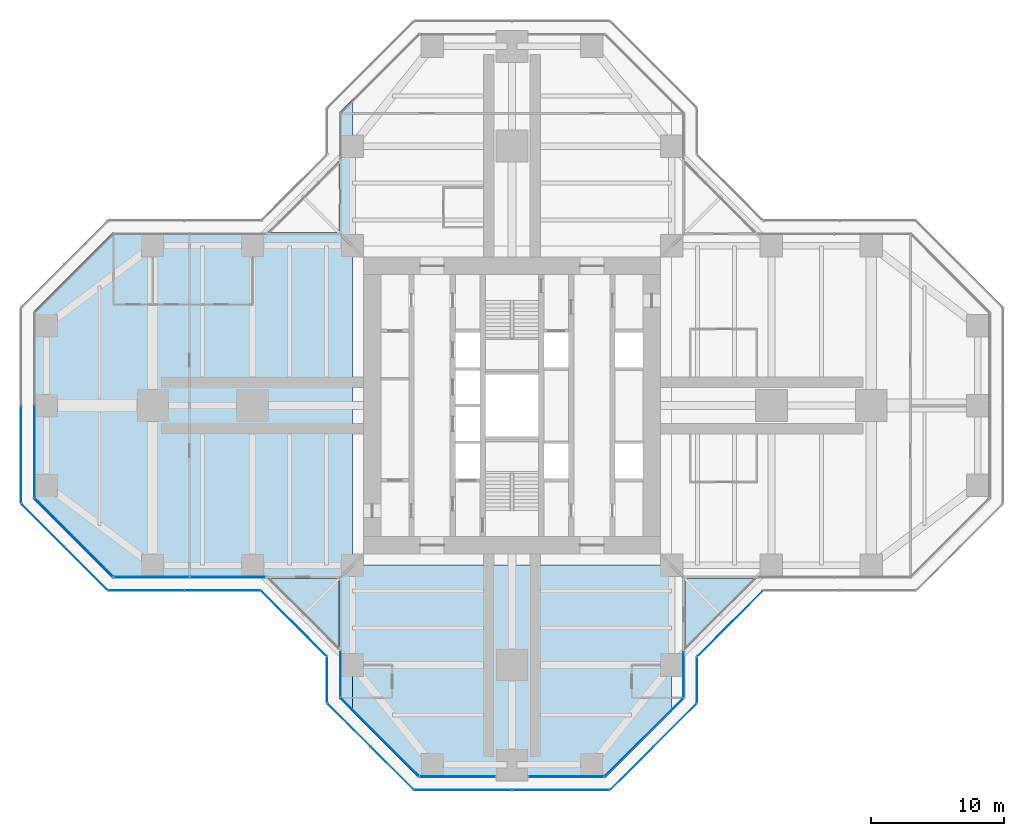
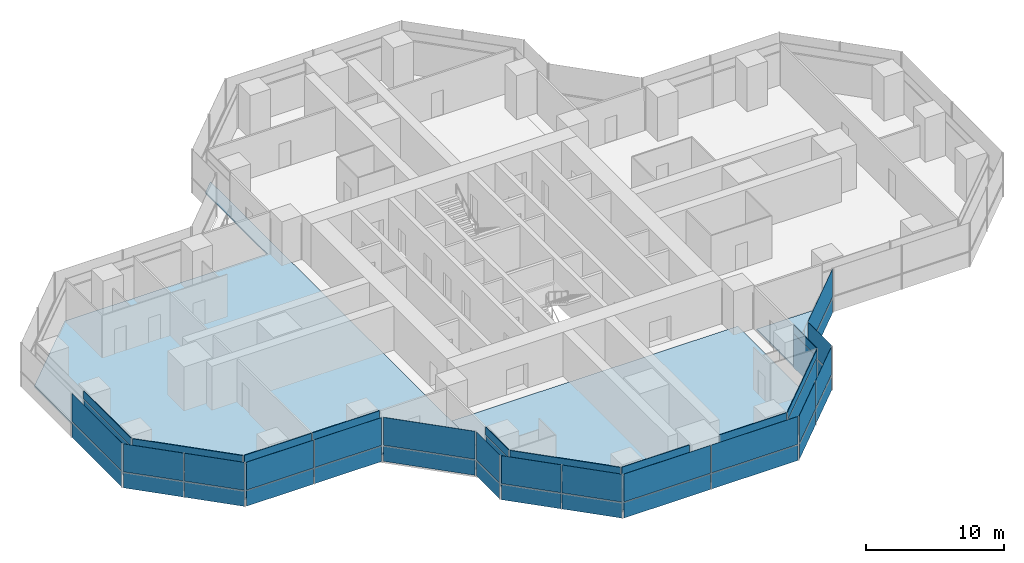
# One storey, part 12 of 19: 50 plates, 4 slabs, 19 elements without a shape of their own.
"""IFC4 building model written with IfcOpenShell, lengths in metres."""

import ifcopenshell
import ifcopenshell.guid

model = None  # the IFC model being written
_history = None  # IfcOwnerHistory: only IFC2X3 demands one
_inside = {}  # id of a spatial element -> (the spatial element, [elements in it])
_under = {}  # id of a project, library or spatial element -> (it, [spatial elements below it])
_declared = {}  # id of a project -> (the project, [libraries it declares])
_typed = {}  # id of a type object -> (the type object, [elements of that type])
_made_of = {}  # id of a material, layer set ... -> (it, [elements and type objects made of it])


def new_model(schema):
    """Start an empty IFC model of exactly this schema.

    Asked for "IFC4X3", IfcOpenShell would pick the latest addendum, in which some entities
    have other attributes; the version numbers below select the first issue.
    IFC2X3 requires an IfcOwnerHistory on every rooted entity: one is made here for all.
    """
    global model, _history
    if schema == "IFC4X3":
        model = ifcopenshell.file(schema_version=(4, 3, 0, 0))
    else:
        model = ifcopenshell.file(schema=schema)
    _inside.clear()
    _under.clear()
    _declared.clear()
    _typed.clear()
    _made_of.clear()
    _history = None
    if model.schema == "IFC2X3":
        org = make("IfcOrganization", Name="unknown")
        user = make(
            "IfcPersonAndOrganization",
            ThePerson=make("IfcPerson", FamilyName="unknown"),
            TheOrganization=org,
        )
        app = make(
            "IfcApplication",
            ApplicationDeveloper=org,
            Version="unknown",
            ApplicationFullName="unknown",
            ApplicationIdentifier="unknown",
        )
        _history = make(
            "IfcOwnerHistory",
            OwningUser=user,
            OwningApplication=app,
            ChangeAction="ADDED",
            CreationDate=0,
        )
    return model


def make(cls, **values):
    """One entity of the class cls with the attributes given. An attribute that is None is left unset."""
    return model.create_entity(
        cls, **{name: value for name, value in values.items() if value is not None}
    )


def rooted(cls, **values):
    """An entity with a GlobalId (a new one), such as an element, a storey or a relation."""
    return make(cls, GlobalId=ifcopenshell.guid.new(), OwnerHistory=_history, **values)


def si_unit(unit_type, name, prefix=None):
    """IfcSIUnit, for example si_unit("LENGTHUNIT", "METRE", prefix="MILLI")."""
    return make("IfcSIUnit", UnitType=unit_type, Prefix=prefix, Name=name)


def assignment(units):
    """IfcUnitAssignment: the units of a project."""
    return None if units is None else make("IfcUnitAssignment", Units=units)


def point(xyz):
    """IfcCartesianPoint."""
    return None if xyz is None else make("IfcCartesianPoint", Coordinates=xyz)


def direction(xyz):
    """IfcDirection."""
    return None if xyz is None else make("IfcDirection", DirectionRatios=xyz)


def frame(location, z_axis=None, x_axis=None):
    """IfcAxis2Placement3D, a coordinate frame: its origin and axes. An axis left out is left unset."""
    return make(
        "IfcAxis2Placement3D",
        Location=point(location),
        Axis=direction(z_axis),
        RefDirection=direction(x_axis),
    )


def frame_2d(location, x_axis=None):
    """IfcAxis2Placement2D, a coordinate frame in the plane: its origin and x axis."""
    return make(
        "IfcAxis2Placement2D", Location=point(location), RefDirection=direction(x_axis)
    )


def origin():
    """The frame at (0, 0, 0) with its axes left unset."""
    return frame((0.0, 0.0, 0.0))


def origin_2d():
    """The frame at (0, 0) in the plane with its x axis left unset."""
    return frame_2d((0.0, 0.0))


def place(relative_to, where):
    """IfcLocalPlacement: puts the frame where relative to a parent placement (None: the world)."""
    return make(
        "IfcLocalPlacement", PlacementRelTo=relative_to, RelativePlacement=where
    )


def context(
    kind, dimensions, precision=None, world=None, true_north=None, identifier=None
):
    """IfcGeometricRepresentationContext, for example the 3D "Model" context."""
    return make(
        "IfcGeometricRepresentationContext",
        ContextIdentifier=identifier,
        ContextType=kind,
        CoordinateSpaceDimension=dimensions,
        Precision=precision,
        WorldCoordinateSystem=world,
        TrueNorth=true_north,
    )


def subcontext(parent, identifier, kind, view, scale=None):
    """IfcGeometricRepresentationSubContext, for example "Body" below "Model"."""
    return make(
        "IfcGeometricRepresentationSubContext",
        ContextIdentifier=identifier,
        ContextType=kind,
        ParentContext=parent,
        TargetScale=scale,
        TargetView=view,
    )


def project(units=None, contexts=None):
    """IfcProject with its units and contexts."""
    return rooted(
        "IfcProject",
        Name="project",
        RepresentationContexts=contexts,
        UnitsInContext=assignment(units),
    )


def spatial(cls, under=None, at=None, **own):
    """A site, building, storey or space (cls), placed at a placement, below another one or the project."""
    s = rooted(cls, ObjectPlacement=at, **own)
    if under is not None:
        _under.setdefault(under.id(), (under, []))[1].append(s)
    return s


def polyline(points):
    """IfcPolyline through the points."""
    return make("IfcPolyline", Points=[point(p) for p in points])


def profile(cls, at=None, kind="AREA", **sizes):
    """A parametric profile (cls). Its sizes go by their IFC names, for example OverallWidth=200.0."""
    return make(cls, ProfileType=kind, Position=at, **sizes)


def rectangle(**sizes):
    """IfcRectangleProfileDef."""
    return profile("IfcRectangleProfileDef", **sizes)


def outline(outer, holes=None, kind="AREA"):
    """IfcArbitraryClosedProfileDef: a profile drawn as a closed curve; with holes, ...WithVoids."""
    if holes is None:
        return make("IfcArbitraryClosedProfileDef", ProfileType=kind, OuterCurve=outer)
    return make(
        "IfcArbitraryProfileDefWithVoids",
        ProfileType=kind,
        OuterCurve=outer,
        InnerCurves=holes,
    )


def extrude(swept, where, along, depth):
    """IfcExtrudedAreaSolid: the profile swept, set in the frame where, extruded along a direction by depth."""
    return make(
        "IfcExtrudedAreaSolid",
        SweptArea=swept,
        Position=where,
        ExtrudedDirection=direction(along),
        Depth=depth,
    )


def shape(context_of_items, identifier, shape_type, items):
    """IfcShapeRepresentation: the items that make up one representation, for example the "Body"."""
    return make(
        "IfcShapeRepresentation",
        ContextOfItems=context_of_items,
        RepresentationIdentifier=identifier,
        RepresentationType=shape_type,
        Items=items,
    )


def material(Name=None, Category=None):
    """IfcMaterial."""
    return make("IfcMaterial", Name=Name, Category=Category)


def layer(
    of_material, thickness, ventilated=None, Name=None, Category=None, Priority=None
):
    """IfcMaterialLayer: one layer of a wall or slab, of a material (None: an air gap)."""
    return make(
        "IfcMaterialLayer",
        Material=of_material,
        LayerThickness=thickness,
        IsVentilated=ventilated,
        Name=Name,
        Category=Category,
        Priority=Priority,
    )


def layer_set(layers, Name=None):
    """IfcMaterialLayerSet."""
    return make("IfcMaterialLayerSet", MaterialLayers=layers, LayerSetName=Name)


def made_of(thing, what):
    """Note that an element or type object is made of a material, layer set ...; save() writes the relation."""
    if what is not None:
        _made_of.setdefault(what.id(), (what, []))[1].append(thing)
    return thing


def type_object(cls, material=None, **own):
    """A type object (cls), such as IfcWallType, which elements share."""
    return made_of(rooted(cls, **own), material)


def element(
    cls,
    number,
    at=None,
    inside=None,
    cuts=None,
    type_object=None,
    material=None,
    context=None,
    identifier="Body",
    shape_type=None,
    held_by="IfcProductDefinitionShape",
    body=None,
    shapes=None,
    **own,
):
    """One element of the class cls, such as IfcWall. Its Tag is "e" and its number.

    at: its placement. inside: the storey or other place that contains it. cuts: it is an
    opening in that element (IfcRelVoidsElement). A single representation is given by context,
    identifier, shape_type and body (its items); several are given by shapes. held_by: the class
    of the entity that holds the representations. save() writes the other relations.
    """
    e = rooted(cls, Tag="e%d" % number, ObjectPlacement=at, **own)
    if body is not None:
        shapes = [shape(context, identifier, shape_type, body)]
    if shapes is not None:
        e.Representation = make(held_by, Representations=shapes)
    if inside is not None:
        _inside.setdefault(inside.id(), (inside, []))[1].append(e)
    if cuts is not None:
        rooted(
            "IfcRelVoidsElement", RelatingBuildingElement=cuts, RelatedOpeningElement=e
        )
    if type_object is not None:
        _typed.setdefault(type_object.id(), (type_object, []))[1].append(e)
    return made_of(e, material)


def aggregate(whole, parts):
    """IfcRelAggregates: a whole, such as a stair, and the parts it consists of."""
    return rooted("IfcRelAggregates", RelatingObject=whole, RelatedObjects=parts)


def save(model, path):
    """Write the relations noted so far, then the file.

    IfcRelAggregates (storeys below a building ...), IfcRelContainedInSpatialStructure (elements
    in a storey), IfcRelDefinesByType, IfcRelAssociatesMaterial and IfcRelDeclares: one each for
    every whole, place, type object, material and project.
    """
    for whole, parts in _under.values():
        aggregate(whole, parts)
    for where, things in _inside.values():
        rooted(
            "IfcRelContainedInSpatialStructure",
            RelatedElements=things,
            RelatingStructure=where,
        )
    for kind, things in _typed.values():
        rooted("IfcRelDefinesByType", RelatedObjects=things, RelatingType=kind)
    for what, things in _made_of.values():
        rooted("IfcRelAssociatesMaterial", RelatedObjects=things, RelatingMaterial=what)
    for by, libraries in _declared.values():
        rooted("IfcRelDeclares", RelatingContext=by, RelatedDefinitions=libraries)
    model.write(path)


model = new_model("IFC4")

# Units and contexts
model_context = context("Model", 3, precision=1e-05, world=origin(), true_north=direction((0.0, 1.0)))
body_context = subcontext(model_context, "Body", "Model", "MODEL_VIEW")
ifc_project = project(units=[si_unit("LENGTHUNIT", "METRE"), si_unit("AREAUNIT", "SQUARE_METRE"), si_unit("VOLUMEUNIT", "CUBIC_METRE"), si_unit("PLANEANGLEUNIT", "RADIAN"), si_unit("MASSUNIT", "GRAM", prefix="KILO")], contexts=[model_context])

# Site, building, storey
site_placement = place(None, origin())
site = spatial("IfcSite", under=ifc_project, at=site_placement, CompositionType="ELEMENT")
building_placement = place(site_placement, origin())
building = spatial("IfcBuilding", under=site, at=building_placement, Name="Mizan Broadcast Tower", CompositionType="ELEMENT")
storey_placement = place(building_placement, frame((0.0, 0.0, 159.300048828125)))
storey = spatial("IfcBuildingStorey", under=building, at=storey_placement, Name="L36", CompositionType="ELEMENT", Elevation=159.300048828125)

# Slabs
ifc_material_1 = material(Name="Concrete C32/40", Category="concrete")
ifc_layer_1 = layer(ifc_material_1, 0.1298828125)
ifc_layer_set_1 = layer_set([ifc_layer_1], Name="Concrete C32/40")
slab_type_1 = type_object("IfcSlabType", Name="COMPOSITE DECK SLAB 130", PredefinedType="FLOOR", material=ifc_layer_set_1)
slab_1_placement = place(storey_placement, frame((0.0, 0.0, -0.130126953125)))
element("IfcSlab", 1, at=slab_1_placement, inside=storey, type_object=slab_type_1, Name="Floor slab L36 west arm", PredefinedType="FLOOR", context=body_context, shape_type="SweptSolid", body=[
    extrude(outline(polyline([(-13.0, -22.0), (-12.0, -23.0), (-12.0, 23.0), (-13.0, 22.0), (-13.0, 13.0), (-30.0, 13.0), (-36.0, 7.0), (-36.0, -7.0), (-30.0, -13.0), (-13.0, -13.0), (-13.0, -22.0)])), origin(), (0.0, 0.0, 1.0), 0.130126953125),
])
slab_2_placement = place(storey_placement, frame((0.0, 0.0, -0.130126953125)))
element("IfcSlab", 2, at=slab_2_placement, inside=storey, type_object=slab_type_1, Name="Floor slab L36 south arm", PredefinedType="FLOOR", context=body_context, shape_type="SweptSolid", body=[
    extrude(outline(polyline([(7.0, -28.0), (12.0, -23.0), (12.0, -12.0), (-12.0, -12.0), (-12.0, -23.0), (-7.0, -28.0), (7.0, -28.0)])), origin(), (0.0, 0.0, 1.0), 0.130126953125),
])

# Curtain wall, plate
ifc_material_2 = material(Name="Aluminium framed glazing", Category="aluminium")
curtain_wall_type_1 = type_object("IfcCurtainWallType", Name="INNER SKIN MID ZONE", PredefinedType="USERDEFINED", material=ifc_material_2)
curtain_wall_1_placement = place(storey_placement, origin())
curtain_wall_1 = element("IfcCurtainWall", 3, at=curtain_wall_1_placement, inside=storey, type_object=curtain_wall_type_1, Name="Inner skin mid zone L36 W end", ObjectType="INNER SKIN MID ZONE", PredefinedType="USERDEFINED")
ifc_material_3 = material(Name="Double glazing, clear low-e", Category="glass")
ifc_layer_2 = layer(ifc_material_3, 0.028076171875)
ifc_layer_set_2 = layer_set([ifc_layer_2], Name="Double glazing, clear low-e")
plate_type_1 = type_object("IfcPlateType", Name="INNER SKIN GLAZING UNIT", PredefinedType="CURTAIN_PANEL", material=ifc_layer_set_2)
plate_1_placement = place(storey_placement, frame((-35.89990234375, -3.46435546875, 0.0), z_axis=(0.0, 0.0, 1.0), x_axis=(0.0, -1.0, 0.0)))
plate_1 = element("IfcPlate", 4, at=plate_1_placement, type_object=plate_type_1, Name="Inner skin mid zone L36 W end panel 2.1", PredefinedType="CURTAIN_PANEL", context=body_context, shape_type="SweptSolid", body=[
    extrude(rectangle(XDim=6.86865234375, YDim=0.028076171875, at=origin_2d()), origin(), (0.0, 0.0, 1.0), 3.0),
])

curtain_wall_2_placement = place(storey_placement, origin())
curtain_wall_2 = element("IfcCurtainWall", 5, at=curtain_wall_2_placement, inside=storey, type_object=curtain_wall_type_1, Name="Inner skin mid zone L36 W chamfer", ObjectType="INNER SKIN MID ZONE", PredefinedType="USERDEFINED")
plate_2_placement = place(storey_placement, frame((-32.92919921875, -9.92919921875, 0.0), z_axis=(0.0, 0.0, 1.0), x_axis=(0.707106781187, -0.707106781187, 0.0)))
plate_2 = element("IfcPlate", 6, at=plate_2_placement, type_object=plate_type_1, Name="Inner skin mid zone L36 W chamfer panel 1.1", PredefinedType="CURTAIN_PANEL", context=body_context, shape_type="SweptSolid", body=[
    extrude(rectangle(XDim=8.282470703125, YDim=0.028076171875, at=origin_2d()), origin(), (0.0, 0.0, 1.0), 3.0),
])

# Curtain wall, plates
curtain_wall_3_placement = place(storey_placement, origin())
curtain_wall_3 = element("IfcCurtainWall", 7, at=curtain_wall_3_placement, inside=storey, type_object=curtain_wall_type_1, Name="Inner skin mid zone L36 W side", ObjectType="INNER SKIN MID ZONE", PredefinedType="USERDEFINED")
plate_3_placement = place(storey_placement, frame((-27.078857421875, -12.89990234375, 0.0), z_axis=(0.0, 0.0, 1.0), x_axis=(1.0, 0.0, 0.0)))
plate_3 = element("IfcPlate", 8, at=plate_3_placement, type_object=plate_type_1, Name="Inner skin mid zone L36 W side panel 1.1", PredefinedType="CURTAIN_PANEL", context=body_context, shape_type="SweptSolid", body=[
    extrude(rectangle(XDim=5.639404296875, YDim=0.028076171875, at=origin_2d()), origin(), (0.0, 0.0, 1.0), 3.0),
])
plate_4_placement = place(storey_placement, frame((-21.379638671875, -12.89990234375, 0.0), z_axis=(0.0, 0.0, 1.0), x_axis=(1.0, 0.0, 0.0)))
plate_4 = element("IfcPlate", 9, at=plate_4_placement, type_object=plate_type_1, Name="Inner skin mid zone L36 W side panel 2.1", PredefinedType="CURTAIN_PANEL", context=body_context, shape_type="SweptSolid", body=[
    extrude(rectangle(XDim=5.639404296875, YDim=0.028076171875, at=origin_2d()), origin(), (0.0, 0.0, 1.0), 3.0),
])

# Curtain wall, plate
curtain_wall_4_placement = place(storey_placement, origin())
curtain_wall_4 = element("IfcCurtainWall", 10, at=curtain_wall_4_placement, inside=storey, type_object=curtain_wall_type_1, Name="Inner skin mid zone L36 S side", ObjectType="INNER SKIN MID ZONE", PredefinedType="USERDEFINED")
plate_5_placement = place(storey_placement, frame((-12.89990234375, -20.229248046875, 0.0), z_axis=(0.0, 0.0, 1.0), x_axis=(0.0, -1.0, 0.0)))
plate_5 = element("IfcPlate", 11, at=plate_5_placement, type_object=plate_type_1, Name="Inner skin mid zone L36 S side panel 1.1", PredefinedType="CURTAIN_PANEL", context=body_context, shape_type="SweptSolid", body=[
    extrude(rectangle(XDim=3.338623046875, YDim=0.028076171875, at=origin_2d()), origin(), (0.0, 0.0, 1.0), 3.0),
])

curtain_wall_5_placement = place(storey_placement, origin())
curtain_wall_5 = element("IfcCurtainWall", 12, at=curtain_wall_5_placement, inside=storey, type_object=curtain_wall_type_1, Name="Inner skin mid zone L36 S chamfer", ObjectType="INNER SKIN MID ZONE", PredefinedType="USERDEFINED")
plate_6_placement = place(storey_placement, frame((-9.92919921875, -24.92919921875, 0.0), z_axis=(0.0, 0.0, 1.0), x_axis=(0.707106781187, -0.707106781187, 0.0)))
plate_6 = element("IfcPlate", 13, at=plate_6_placement, type_object=plate_type_1, Name="Inner skin mid zone L36 S chamfer panel 1.1", PredefinedType="CURTAIN_PANEL", context=body_context, shape_type="SweptSolid", body=[
    extrude(rectangle(XDim=8.282470703125, YDim=0.028076171875, at=origin_2d()), origin(), (0.0, 0.0, 1.0), 3.0),
])

curtain_wall_6_placement = place(storey_placement, origin())
curtain_wall_6 = element("IfcCurtainWall", 14, at=curtain_wall_6_placement, inside=storey, type_object=curtain_wall_type_1, Name="Inner skin mid zone L36 S end", ObjectType="INNER SKIN MID ZONE", PredefinedType="USERDEFINED")
plate_7_placement = place(storey_placement, frame((-4.079345703125, -27.89990234375, 0.0), z_axis=(0.0, 0.0, 1.0), x_axis=(1.0, 0.0, 0.0)))
plate_7 = element("IfcPlate", 15, at=plate_7_placement, type_object=plate_type_1, Name="Inner skin mid zone L36 S end panel 1.1", PredefinedType="CURTAIN_PANEL", context=body_context, shape_type="SweptSolid", body=[
    extrude(rectangle(XDim=5.638671875, YDim=0.028076171875, at=origin_2d()), origin(), (0.0, 0.0, 1.0), 3.0),
])

curtain_wall_7_placement = place(storey_placement, origin())
curtain_wall_7 = element("IfcCurtainWall", 16, at=curtain_wall_7_placement, inside=storey, type_object=curtain_wall_type_1, Name="Inner skin mid zone L36 S end", ObjectType="INNER SKIN MID ZONE", PredefinedType="USERDEFINED")
plate_8_placement = place(storey_placement, frame((4.079345703125, -27.89990234375, 0.0), z_axis=(0.0, 0.0, 1.0), x_axis=(1.0, 0.0, 0.0)))
plate_8 = element("IfcPlate", 17, at=plate_8_placement, type_object=plate_type_1, Name="Inner skin mid zone L36 S end panel 1.1", PredefinedType="CURTAIN_PANEL", context=body_context, shape_type="SweptSolid", body=[
    extrude(rectangle(XDim=5.638671875, YDim=0.028076171875, at=origin_2d()), origin(), (0.0, 0.0, 1.0), 3.0),
])

curtain_wall_8_placement = place(storey_placement, origin())
curtain_wall_8 = element("IfcCurtainWall", 18, at=curtain_wall_8_placement, inside=storey, type_object=curtain_wall_type_1, Name="Inner skin mid zone L36 S chamfer", ObjectType="INNER SKIN MID ZONE", PredefinedType="USERDEFINED")
plate_9_placement = place(storey_placement, frame((9.92919921875, -24.92919921875, 0.0), z_axis=(0.0, 0.0, 1.0), x_axis=(0.707106781187, 0.707106781187, 0.0)))
plate_9 = element("IfcPlate", 19, at=plate_9_placement, type_object=plate_type_1, Name="Inner skin mid zone L36 S chamfer panel 1.1", PredefinedType="CURTAIN_PANEL", context=body_context, shape_type="SweptSolid", body=[
    extrude(rectangle(XDim=8.282470703125, YDim=0.028076171875, at=origin_2d()), origin(), (0.0, 0.0, 1.0), 3.0),
])

curtain_wall_9_placement = place(storey_placement, origin())
curtain_wall_9 = element("IfcCurtainWall", 20, at=curtain_wall_9_placement, inside=storey, type_object=curtain_wall_type_1, Name="Inner skin mid zone L36 S side", ObjectType="INNER SKIN MID ZONE", PredefinedType="USERDEFINED")
plate_10_placement = place(storey_placement, frame((12.89990234375, -20.229248046875, 0.0), z_axis=(0.0, 0.0, 1.0), x_axis=(0.0, 1.0, 0.0)))
plate_10 = element("IfcPlate", 21, at=plate_10_placement, type_object=plate_type_1, Name="Inner skin mid zone L36 S side panel 1.1", PredefinedType="CURTAIN_PANEL", context=body_context, shape_type="SweptSolid", body=[
    extrude(rectangle(XDim=3.338623046875, YDim=0.028076171875, at=origin_2d()), origin(), (0.0, 0.0, 1.0), 3.0),
])

# Plate
ifc_material_4 = material(Name="Insulated aluminium spandrel panel, pale anodised", Category="aluminium")
ifc_layer_3 = layer(ifc_material_4, 0.050048828125)
ifc_layer_set_3 = layer_set([ifc_layer_3], Name="Insulated aluminium spandrel panel, pale anodised")
plate_type_2 = type_object("IfcPlateType", Name="INNER SKIN SPANDREL PANEL", PredefinedType="CURTAIN_PANEL", material=ifc_layer_set_3)
plate_11_placement = place(storey_placement, frame((-35.89990234375, -3.46435546875, 3.06005859375), z_axis=(0.0, 0.0, 1.0), x_axis=(0.0, -1.0, 0.0)))
plate_11 = element("IfcPlate", 22, at=plate_11_placement, type_object=plate_type_2, Name="Inner skin mid zone L36 W end panel 2.2", PredefinedType="CURTAIN_PANEL", context=body_context, shape_type="SweptSolid", body=[
    extrude(rectangle(XDim=6.86865234375, YDim=0.050048828125, at=origin_2d()), origin(), (0.0, 0.0, 1.0), 0.7099609375),
])

aggregate(curtain_wall_1, [plate_1, plate_11])

plate_12_placement = place(storey_placement, frame((-32.92919921875, -9.92919921875, 3.06005859375), z_axis=(0.0, 0.0, 1.0), x_axis=(0.707106781187, -0.707106781187, 0.0)))
plate_12 = element("IfcPlate", 23, at=plate_12_placement, type_object=plate_type_2, Name="Inner skin mid zone L36 W chamfer panel 1.2", PredefinedType="CURTAIN_PANEL", context=body_context, shape_type="SweptSolid", body=[
    extrude(rectangle(XDim=8.282470703125, YDim=0.050048828125, at=origin_2d()), origin(), (0.0, 0.0, 1.0), 0.7099609375),
])

aggregate(curtain_wall_2, [plate_2, plate_12])

plate_13_placement = place(storey_placement, frame((-27.078857421875, -12.89990234375, 3.06005859375), z_axis=(0.0, 0.0, 1.0), x_axis=(1.0, 0.0, 0.0)))
plate_13 = element("IfcPlate", 24, at=plate_13_placement, type_object=plate_type_2, Name="Inner skin mid zone L36 W side panel 1.2", PredefinedType="CURTAIN_PANEL", context=body_context, shape_type="SweptSolid", body=[
    extrude(rectangle(XDim=5.639404296875, YDim=0.050048828125, at=origin_2d()), origin(), (0.0, 0.0, 1.0), 0.7099609375),
])

plate_14_placement = place(storey_placement, frame((-21.379638671875, -12.89990234375, 3.06005859375), z_axis=(0.0, 0.0, 1.0), x_axis=(1.0, 0.0, 0.0)))
plate_14 = element("IfcPlate", 25, at=plate_14_placement, type_object=plate_type_2, Name="Inner skin mid zone L36 W side panel 2.2", PredefinedType="CURTAIN_PANEL", context=body_context, shape_type="SweptSolid", body=[
    extrude(rectangle(XDim=5.639404296875, YDim=0.050048828125, at=origin_2d()), origin(), (0.0, 0.0, 1.0), 0.7099609375),
])

aggregate(curtain_wall_3, [plate_3, plate_13, plate_4, plate_14])

plate_15_placement = place(storey_placement, frame((-12.89990234375, -20.229248046875, 3.06005859375), z_axis=(0.0, 0.0, 1.0), x_axis=(0.0, -1.0, 0.0)))
plate_15 = element("IfcPlate", 26, at=plate_15_placement, type_object=plate_type_2, Name="Inner skin mid zone L36 S side panel 1.2", PredefinedType="CURTAIN_PANEL", context=body_context, shape_type="SweptSolid", body=[
    extrude(rectangle(XDim=3.338623046875, YDim=0.050048828125, at=origin_2d()), origin(), (0.0, 0.0, 1.0), 0.7099609375),
])

aggregate(curtain_wall_4, [plate_5, plate_15])

plate_16_placement = place(storey_placement, frame((-9.92919921875, -24.92919921875, 3.06005859375), z_axis=(0.0, 0.0, 1.0), x_axis=(0.707106781187, -0.707106781187, 0.0)))
plate_16 = element("IfcPlate", 27, at=plate_16_placement, type_object=plate_type_2, Name="Inner skin mid zone L36 S chamfer panel 1.2", PredefinedType="CURTAIN_PANEL", context=body_context, shape_type="SweptSolid", body=[
    extrude(rectangle(XDim=8.282470703125, YDim=0.050048828125, at=origin_2d()), origin(), (0.0, 0.0, 1.0), 0.7099609375),
])

aggregate(curtain_wall_5, [plate_6, plate_16])

plate_17_placement = place(storey_placement, frame((-4.079345703125, -27.89990234375, 3.06005859375), z_axis=(0.0, 0.0, 1.0), x_axis=(1.0, 0.0, 0.0)))
plate_17 = element("IfcPlate", 28, at=plate_17_placement, type_object=plate_type_2, Name="Inner skin mid zone L36 S end panel 1.2", PredefinedType="CURTAIN_PANEL", context=body_context, shape_type="SweptSolid", body=[
    extrude(rectangle(XDim=5.638671875, YDim=0.050048828125, at=origin_2d()), origin(), (0.0, 0.0, 1.0), 0.7099609375),
])

aggregate(curtain_wall_6, [plate_7, plate_17])

plate_18_placement = place(storey_placement, frame((4.079345703125, -27.89990234375, 3.06005859375), z_axis=(0.0, 0.0, 1.0), x_axis=(1.0, 0.0, 0.0)))
plate_18 = element("IfcPlate", 29, at=plate_18_placement, type_object=plate_type_2, Name="Inner skin mid zone L36 S end panel 1.2", PredefinedType="CURTAIN_PANEL", context=body_context, shape_type="SweptSolid", body=[
    extrude(rectangle(XDim=5.638671875, YDim=0.050048828125, at=origin_2d()), origin(), (0.0, 0.0, 1.0), 0.7099609375),
])

aggregate(curtain_wall_7, [plate_8, plate_18])

plate_19_placement = place(storey_placement, frame((9.92919921875, -24.92919921875, 3.06005859375), z_axis=(0.0, 0.0, 1.0), x_axis=(0.707106781187, 0.707106781187, 0.0)))
plate_19 = element("IfcPlate", 30, at=plate_19_placement, type_object=plate_type_2, Name="Inner skin mid zone L36 S chamfer panel 1.2", PredefinedType="CURTAIN_PANEL", context=body_context, shape_type="SweptSolid", body=[
    extrude(rectangle(XDim=8.282470703125, YDim=0.050048828125, at=origin_2d()), origin(), (0.0, 0.0, 1.0), 0.7099609375),
])

aggregate(curtain_wall_8, [plate_9, plate_19])

plate_20_placement = place(storey_placement, frame((12.89990234375, -20.229248046875, 3.06005859375), z_axis=(0.0, 0.0, 1.0), x_axis=(0.0, 1.0, 0.0)))
plate_20 = element("IfcPlate", 31, at=plate_20_placement, type_object=plate_type_2, Name="Inner skin mid zone L36 S side panel 1.2", PredefinedType="CURTAIN_PANEL", context=body_context, shape_type="SweptSolid", body=[
    extrude(rectangle(XDim=3.338623046875, YDim=0.050048828125, at=origin_2d()), origin(), (0.0, 0.0, 1.0), 0.7099609375),
])

aggregate(curtain_wall_9, [plate_10, plate_20])

# Curtain wall, plates
ifc_material_5 = material(Name="Aluminium framed glazing", Category="aluminium")
curtain_wall_type_2 = type_object("IfcCurtainWallType", Name="OUTER SKIN", PredefinedType="USERDEFINED", material=ifc_material_5)
curtain_wall_10_placement = place(storey_placement, origin())
curtain_wall_10 = element("IfcCurtainWall", 32, at=curtain_wall_10_placement, inside=storey, type_object=curtain_wall_type_2, Name="Outer skin L36 W chamfer", ObjectType="OUTER SKIN", PredefinedType="USERDEFINED")
ifc_material_6 = material(Name="Laminated clear glass", Category="glass")
ifc_layer_4 = layer(ifc_material_6, 0.02001953125)
ifc_layer_set_4 = layer_set([ifc_layer_4], Name="Laminated clear glass")
plate_type_3 = type_object("IfcPlateType", Name="OUTER SKIN CLEAR GLASS", PredefinedType="CURTAIN_PANEL", material=ifc_layer_set_4)
plate_21_placement = place(storey_placement, frame((-35.254150390625, -9.018798828125, 0.0), z_axis=(0.0, 0.0, 1.0), x_axis=(0.707106781187, -0.707106781187, 0.0)))
plate_21 = element("IfcPlate", 33, at=plate_21_placement, type_object=plate_type_3, Name="Outer skin L36 W chamfer panel 1.1", PredefinedType="CURTAIN_PANEL", context=body_context, shape_type="SweptSolid", body=[
    extrude(rectangle(XDim=4.495361328125, YDim=0.02001953125, at=origin_2d()), origin(), (0.0, 0.0, 1.0), 1.3701171875),
])
plate_22_placement = place(storey_placement, frame((-35.254150390625, -9.018798828125, 1.43017578125), z_axis=(0.0, 0.0, 1.0), x_axis=(0.707106781187, -0.707106781187, 0.0)))
plate_22 = element("IfcPlate", 34, at=plate_22_placement, type_object=plate_type_3, Name="Outer skin L36 W chamfer panel 1.2", PredefinedType="CURTAIN_PANEL", context=body_context, shape_type="SweptSolid", body=[
    extrude(rectangle(XDim=4.495361328125, YDim=0.02001953125, at=origin_2d()), origin(), (0.0, 0.0, 1.0), 2.469970703125),
])

curtain_wall_11_placement = place(storey_placement, origin())
curtain_wall_11 = element("IfcCurtainWall", 35, at=curtain_wall_11_placement, inside=storey, type_object=curtain_wall_type_2, Name="Outer skin L36 W side", ObjectType="OUTER SKIN", PredefinedType="USERDEFINED")
plate_23_placement = place(storey_placement, frame((-27.477783203125, -13.89990234375, 0.0), z_axis=(0.0, 0.0, 1.0), x_axis=(1.0, 0.0, 0.0)))
plate_23 = element("IfcPlate", 36, at=plate_23_placement, type_object=plate_type_3, Name="Outer skin L36 W side panel 1.1", PredefinedType="CURTAIN_PANEL", context=body_context, shape_type="SweptSolid", body=[
    extrude(rectangle(XDim=5.6298828125, YDim=0.02001953125, at=origin_2d()), origin(), (0.0, 0.0, 1.0), 1.3701171875),
])
plate_24_placement = place(storey_placement, frame((-27.477783203125, -13.89990234375, 1.43017578125), z_axis=(0.0, 0.0, 1.0), x_axis=(1.0, 0.0, 0.0)))
plate_24 = element("IfcPlate", 37, at=plate_24_placement, type_object=plate_type_3, Name="Outer skin L36 W side panel 1.2", PredefinedType="CURTAIN_PANEL", context=body_context, shape_type="SweptSolid", body=[
    extrude(rectangle(XDim=5.6298828125, YDim=0.02001953125, at=origin_2d()), origin(), (0.0, 0.0, 1.0), 2.469970703125),
])

curtain_wall_12_placement = place(storey_placement, origin())
curtain_wall_12 = element("IfcCurtainWall", 38, at=curtain_wall_12_placement, inside=storey, type_object=curtain_wall_type_2, Name="Outer skin L36 W chamfer", ObjectType="OUTER SKIN", PredefinedType="USERDEFINED")
plate_25_placement = place(storey_placement, frame((-16.386474609375, -16.386474609375, 0.0), z_axis=(0.0, 0.0, 1.0), x_axis=(0.707106781187, -0.707106781187, 0.0)))
plate_25 = element("IfcPlate", 39, at=plate_25_placement, type_object=plate_type_3, Name="Outer skin L36 W chamfer panel 1.1", PredefinedType="CURTAIN_PANEL", context=body_context, shape_type="SweptSolid", body=[
    extrude(rectangle(XDim=6.87255859375, YDim=0.02001953125, at=origin_2d()), origin(), (0.0, 0.0, 1.0), 1.3701171875),
])
plate_26_placement = place(storey_placement, frame((-16.386474609375, -16.386474609375, 1.43017578125), z_axis=(0.0, 0.0, 1.0), x_axis=(0.707106781187, -0.707106781187, 0.0)))
plate_26 = element("IfcPlate", 40, at=plate_26_placement, type_object=plate_type_3, Name="Outer skin L36 W chamfer panel 1.2", PredefinedType="CURTAIN_PANEL", context=body_context, shape_type="SweptSolid", body=[
    extrude(rectangle(XDim=6.87255859375, YDim=0.02001953125, at=origin_2d()), origin(), (0.0, 0.0, 1.0), 2.469970703125),
])
aggregate(curtain_wall_12, [plate_25, plate_26])

curtain_wall_13_placement = place(storey_placement, origin())
curtain_wall_13 = element("IfcCurtainWall", 41, at=curtain_wall_13_placement, inside=storey, type_object=curtain_wall_type_2, Name="Outer skin L36 S side", ObjectType="OUTER SKIN", PredefinedType="USERDEFINED")
plate_27_placement = place(storey_placement, frame((-13.89990234375, -20.622802734375, 0.0), z_axis=(0.0, 0.0, 1.0), x_axis=(0.0, -1.0, 0.0)))
plate_27 = element("IfcPlate", 42, at=plate_27_placement, type_object=plate_type_3, Name="Outer skin L36 S side panel 1.1", PredefinedType="CURTAIN_PANEL", context=body_context, shape_type="SweptSolid", body=[
    extrude(rectangle(XDim=3.340087890625, YDim=0.02001953125, at=origin_2d()), origin(), (0.0, 0.0, 1.0), 1.3701171875),
])
plate_28_placement = place(storey_placement, frame((-13.89990234375, -20.622802734375, 1.43017578125), z_axis=(0.0, 0.0, 1.0), x_axis=(0.0, -1.0, 0.0)))
plate_28 = element("IfcPlate", 43, at=plate_28_placement, type_object=plate_type_3, Name="Outer skin L36 S side panel 1.2", PredefinedType="CURTAIN_PANEL", context=body_context, shape_type="SweptSolid", body=[
    extrude(rectangle(XDim=3.340087890625, YDim=0.02001953125, at=origin_2d()), origin(), (0.0, 0.0, 1.0), 2.469970703125),
])
aggregate(curtain_wall_13, [plate_27, plate_28])

curtain_wall_14_placement = place(storey_placement, origin())
curtain_wall_14 = element("IfcCurtainWall", 44, at=curtain_wall_14_placement, inside=storey, type_object=curtain_wall_type_2, Name="Outer skin L36 S chamfer", ObjectType="OUTER SKIN", PredefinedType="USERDEFINED")
plate_29_placement = place(storey_placement, frame((-12.254150390625, -24.018798828125, 0.0), z_axis=(0.0, 0.0, 1.0), x_axis=(0.707106781187, -0.707106781187, 0.0)))
plate_29 = element("IfcPlate", 45, at=plate_29_placement, type_object=plate_type_3, Name="Outer skin L36 S chamfer panel 1.1", PredefinedType="CURTAIN_PANEL", context=body_context, shape_type="SweptSolid", body=[
    extrude(rectangle(XDim=4.495361328125, YDim=0.02001953125, at=origin_2d()), origin(), (0.0, 0.0, 1.0), 1.3701171875),
])
plate_30_placement = place(storey_placement, frame((-12.254150390625, -24.018798828125, 1.43017578125), z_axis=(0.0, 0.0, 1.0), x_axis=(0.707106781187, -0.707106781187, 0.0)))
plate_30 = element("IfcPlate", 46, at=plate_30_placement, type_object=plate_type_3, Name="Outer skin L36 S chamfer panel 1.2", PredefinedType="CURTAIN_PANEL", context=body_context, shape_type="SweptSolid", body=[
    extrude(rectangle(XDim=4.495361328125, YDim=0.02001953125, at=origin_2d()), origin(), (0.0, 0.0, 1.0), 2.469970703125),
])

curtain_wall_15_placement = place(storey_placement, origin())
curtain_wall_15 = element("IfcCurtainWall", 47, at=curtain_wall_15_placement, inside=storey, type_object=curtain_wall_type_2, Name="Outer skin L36 S end", ObjectType="OUTER SKIN", PredefinedType="USERDEFINED")
plate_31_placement = place(storey_placement, frame((-3.66650390625, -28.89990234375, 0.0), z_axis=(0.0, 0.0, 1.0), x_axis=(1.0, 0.0, 0.0)))
plate_31 = element("IfcPlate", 48, at=plate_31_placement, type_object=plate_type_3, Name="Outer skin L36 S end panel 1.1", PredefinedType="CURTAIN_PANEL", context=body_context, shape_type="SweptSolid", body=[
    extrude(rectangle(XDim=7.252685546875, YDim=0.02001953125, at=origin_2d()), origin(), (0.0, 0.0, 1.0), 1.3701171875),
])
plate_32_placement = place(storey_placement, frame((-3.66650390625, -28.89990234375, 1.43017578125), z_axis=(0.0, 0.0, 1.0), x_axis=(1.0, 0.0, 0.0)))
plate_32 = element("IfcPlate", 49, at=plate_32_placement, type_object=plate_type_3, Name="Outer skin L36 S end panel 1.2", PredefinedType="CURTAIN_PANEL", context=body_context, shape_type="SweptSolid", body=[
    extrude(rectangle(XDim=7.252685546875, YDim=0.02001953125, at=origin_2d()), origin(), (0.0, 0.0, 1.0), 2.469970703125),
])

curtain_wall_16_placement = place(storey_placement, origin())
curtain_wall_16 = element("IfcCurtainWall", 50, at=curtain_wall_16_placement, inside=storey, type_object=curtain_wall_type_2, Name="Outer skin L36 S chamfer", ObjectType="OUTER SKIN", PredefinedType="USERDEFINED")
plate_33_placement = place(storey_placement, frame((9.018798828125, -27.254150390625, 0.0), z_axis=(0.0, 0.0, 1.0), x_axis=(0.707106781187, 0.707106781187, 0.0)))
plate_33 = element("IfcPlate", 51, at=plate_33_placement, type_object=plate_type_3, Name="Outer skin L36 S chamfer panel 1.1", PredefinedType="CURTAIN_PANEL", context=body_context, shape_type="SweptSolid", body=[
    extrude(rectangle(XDim=4.495361328125, YDim=0.02001953125, at=origin_2d()), origin(), (0.0, 0.0, 1.0), 1.3701171875),
])
plate_34_placement = place(storey_placement, frame((9.018798828125, -27.254150390625, 1.43017578125), z_axis=(0.0, 0.0, 1.0), x_axis=(0.707106781187, 0.707106781187, 0.0)))
plate_34 = element("IfcPlate", 52, at=plate_34_placement, type_object=plate_type_3, Name="Outer skin L36 S chamfer panel 1.2", PredefinedType="CURTAIN_PANEL", context=body_context, shape_type="SweptSolid", body=[
    extrude(rectangle(XDim=4.495361328125, YDim=0.02001953125, at=origin_2d()), origin(), (0.0, 0.0, 1.0), 2.469970703125),
])

curtain_wall_17_placement = place(storey_placement, origin())
curtain_wall_17 = element("IfcCurtainWall", 53, at=curtain_wall_17_placement, inside=storey, type_object=curtain_wall_type_2, Name="Outer skin L36 S side", ObjectType="OUTER SKIN", PredefinedType="USERDEFINED")
plate_35_placement = place(storey_placement, frame((13.89990234375, -20.622802734375, 0.0), z_axis=(0.0, 0.0, 1.0), x_axis=(0.0, 1.0, 0.0)))
plate_35 = element("IfcPlate", 54, at=plate_35_placement, type_object=plate_type_3, Name="Outer skin L36 S side panel 1.1", PredefinedType="CURTAIN_PANEL", context=body_context, shape_type="SweptSolid", body=[
    extrude(rectangle(XDim=3.340087890625, YDim=0.02001953125, at=origin_2d()), origin(), (0.0, 0.0, 1.0), 1.3701171875),
])
plate_36_placement = place(storey_placement, frame((13.89990234375, -20.622802734375, 1.43017578125), z_axis=(0.0, 0.0, 1.0), x_axis=(0.0, 1.0, 0.0)))
plate_36 = element("IfcPlate", 55, at=plate_36_placement, type_object=plate_type_3, Name="Outer skin L36 S side panel 1.2", PredefinedType="CURTAIN_PANEL", context=body_context, shape_type="SweptSolid", body=[
    extrude(rectangle(XDim=3.340087890625, YDim=0.02001953125, at=origin_2d()), origin(), (0.0, 0.0, 1.0), 2.469970703125),
])
aggregate(curtain_wall_17, [plate_35, plate_36])

curtain_wall_18_placement = place(storey_placement, origin())
curtain_wall_18 = element("IfcCurtainWall", 56, at=curtain_wall_18_placement, inside=storey, type_object=curtain_wall_type_2, Name="Outer skin L36 E chamfer", ObjectType="OUTER SKIN", PredefinedType="USERDEFINED")
plate_37_placement = place(storey_placement, frame((16.386474609375, -16.386474609375, 0.0), z_axis=(0.0, 0.0, 1.0), x_axis=(0.707106781187, 0.707106781187, 0.0)))
plate_37 = element("IfcPlate", 57, at=plate_37_placement, type_object=plate_type_3, Name="Outer skin L36 E chamfer panel 1.1", PredefinedType="CURTAIN_PANEL", context=body_context, shape_type="SweptSolid", body=[
    extrude(rectangle(XDim=6.87255859375, YDim=0.02001953125, at=origin_2d()), origin(), (0.0, 0.0, 1.0), 1.3701171875),
])
plate_38_placement = place(storey_placement, frame((16.386474609375, -16.386474609375, 1.43017578125), z_axis=(0.0, 0.0, 1.0), x_axis=(0.707106781187, 0.707106781187, 0.0)))
plate_38 = element("IfcPlate", 58, at=plate_38_placement, type_object=plate_type_3, Name="Outer skin L36 E chamfer panel 1.2", PredefinedType="CURTAIN_PANEL", context=body_context, shape_type="SweptSolid", body=[
    extrude(rectangle(XDim=6.87255859375, YDim=0.02001953125, at=origin_2d()), origin(), (0.0, 0.0, 1.0), 2.469970703125),
])
aggregate(curtain_wall_18, [plate_37, plate_38])

curtain_wall_19_placement = place(storey_placement, origin())
curtain_wall_19 = element("IfcCurtainWall", 59, at=curtain_wall_19_placement, inside=storey, type_object=curtain_wall_type_2, Name="Outer skin L36 W end", ObjectType="OUTER SKIN", PredefinedType="USERDEFINED")
ifc_material_7 = material(Name="Perforated aluminium, pale anodised", Category="aluminium")
ifc_layer_5 = layer(ifc_material_7, 0.011962890625)
ifc_layer_set_5 = layer_set([ifc_layer_5], Name="Perforated aluminium, pale anodised")
plate_type_4 = type_object("IfcPlateType", Name="OUTER SKIN PERFORATED SCREEN", PredefinedType="USERDEFINED", material=ifc_layer_set_5)
plate_39_placement = place(storey_placement, frame((-36.89990234375, -3.66650390625, 0.0), z_axis=(0.0, 0.0, 1.0), x_axis=(0.0, -1.0, 0.0)))
plate_39 = element("IfcPlate", 60, at=plate_39_placement, type_object=plate_type_4, Name="Outer skin L36 W end panel 2.1", ObjectType="SCREEN", PredefinedType="USERDEFINED", context=body_context, shape_type="SweptSolid", body=[
    extrude(rectangle(XDim=7.252685546875, YDim=0.011962890625, at=origin_2d()), origin(), (0.0, 0.0, 1.0), 1.3701171875),
])
plate_40_placement = place(storey_placement, frame((-36.89990234375, -3.66650390625, 1.43017578125), z_axis=(0.0, 0.0, 1.0), x_axis=(0.0, -1.0, 0.0)))
plate_40 = element("IfcPlate", 61, at=plate_40_placement, type_object=plate_type_4, Name="Outer skin L36 W end panel 2.2", ObjectType="SCREEN", PredefinedType="USERDEFINED", context=body_context, shape_type="SweptSolid", body=[
    extrude(rectangle(XDim=7.252685546875, YDim=0.011962890625, at=origin_2d()), origin(), (0.0, 0.0, 1.0), 2.469970703125),
])
aggregate(curtain_wall_19, [plate_39, plate_40])

# Plate
plate_41_placement = place(storey_placement, frame((-32.018798828125, -12.254150390625, 0.0), z_axis=(0.0, 0.0, 1.0), x_axis=(0.707106781187, -0.707106781187, 0.0)))
plate_41 = element("IfcPlate", 62, at=plate_41_placement, type_object=plate_type_4, Name="Outer skin L36 W chamfer panel 2.1", ObjectType="SCREEN", PredefinedType="USERDEFINED", context=body_context, shape_type="SweptSolid", body=[
    extrude(rectangle(XDim=4.495361328125, YDim=0.011962890625, at=origin_2d()), origin(), (0.0, 0.0, 1.0), 1.3701171875),
])

plate_42_placement = place(storey_placement, frame((-32.018798828125, -12.254150390625, 1.43017578125), z_axis=(0.0, 0.0, 1.0), x_axis=(0.707106781187, -0.707106781187, 0.0)))
plate_42 = element("IfcPlate", 63, at=plate_42_placement, type_object=plate_type_4, Name="Outer skin L36 W chamfer panel 2.2", ObjectType="SCREEN", PredefinedType="USERDEFINED", context=body_context, shape_type="SweptSolid", body=[
    extrude(rectangle(XDim=4.495361328125, YDim=0.011962890625, at=origin_2d()), origin(), (0.0, 0.0, 1.0), 2.469970703125),
])

aggregate(curtain_wall_10, [plate_21, plate_22, plate_41, plate_42])

plate_43_placement = place(storey_placement, frame((-21.767822265625, -13.89990234375, 0.0), z_axis=(0.0, 0.0, 1.0), x_axis=(1.0, 0.0, 0.0)))
plate_43 = element("IfcPlate", 64, at=plate_43_placement, type_object=plate_type_4, Name="Outer skin L36 W side panel 2.1", ObjectType="SCREEN", PredefinedType="USERDEFINED", context=body_context, shape_type="SweptSolid", body=[
    extrude(rectangle(XDim=5.6298828125, YDim=0.011962890625, at=origin_2d()), origin(), (0.0, 0.0, 1.0), 1.3701171875),
])

plate_44_placement = place(storey_placement, frame((-21.767822265625, -13.89990234375, 1.43017578125), z_axis=(0.0, 0.0, 1.0), x_axis=(1.0, 0.0, 0.0)))
plate_44 = element("IfcPlate", 65, at=plate_44_placement, type_object=plate_type_4, Name="Outer skin L36 W side panel 2.2", ObjectType="SCREEN", PredefinedType="USERDEFINED", context=body_context, shape_type="SweptSolid", body=[
    extrude(rectangle(XDim=5.6298828125, YDim=0.011962890625, at=origin_2d()), origin(), (0.0, 0.0, 1.0), 2.469970703125),
])

aggregate(curtain_wall_11, [plate_23, plate_24, plate_43, plate_44])

plate_45_placement = place(storey_placement, frame((-9.018798828125, -27.254150390625, 0.0), z_axis=(0.0, 0.0, 1.0), x_axis=(0.707106781187, -0.707106781187, 0.0)))
plate_45 = element("IfcPlate", 66, at=plate_45_placement, type_object=plate_type_4, Name="Outer skin L36 S chamfer panel 2.1", ObjectType="SCREEN", PredefinedType="USERDEFINED", context=body_context, shape_type="SweptSolid", body=[
    extrude(rectangle(XDim=4.495361328125, YDim=0.011962890625, at=origin_2d()), origin(), (0.0, 0.0, 1.0), 1.3701171875),
])

plate_46_placement = place(storey_placement, frame((-9.018798828125, -27.254150390625, 1.43017578125), z_axis=(0.0, 0.0, 1.0), x_axis=(0.707106781187, -0.707106781187, 0.0)))
plate_46 = element("IfcPlate", 67, at=plate_46_placement, type_object=plate_type_4, Name="Outer skin L36 S chamfer panel 2.2", ObjectType="SCREEN", PredefinedType="USERDEFINED", context=body_context, shape_type="SweptSolid", body=[
    extrude(rectangle(XDim=4.495361328125, YDim=0.011962890625, at=origin_2d()), origin(), (0.0, 0.0, 1.0), 2.469970703125),
])

aggregate(curtain_wall_14, [plate_29, plate_30, plate_45, plate_46])

plate_47_placement = place(storey_placement, frame((3.66650390625, -28.89990234375, 0.0), z_axis=(0.0, 0.0, 1.0), x_axis=(1.0, 0.0, 0.0)))
plate_47 = element("IfcPlate", 68, at=plate_47_placement, type_object=plate_type_4, Name="Outer skin L36 S end panel 2.1", ObjectType="SCREEN", PredefinedType="USERDEFINED", context=body_context, shape_type="SweptSolid", body=[
    extrude(rectangle(XDim=7.252685546875, YDim=0.011962890625, at=origin_2d()), origin(), (0.0, 0.0, 1.0), 1.3701171875),
])

plate_48_placement = place(storey_placement, frame((3.66650390625, -28.89990234375, 1.43017578125), z_axis=(0.0, 0.0, 1.0), x_axis=(1.0, 0.0, 0.0)))
plate_48 = element("IfcPlate", 69, at=plate_48_placement, type_object=plate_type_4, Name="Outer skin L36 S end panel 2.2", ObjectType="SCREEN", PredefinedType="USERDEFINED", context=body_context, shape_type="SweptSolid", body=[
    extrude(rectangle(XDim=7.252685546875, YDim=0.011962890625, at=origin_2d()), origin(), (0.0, 0.0, 1.0), 2.469970703125),
])

aggregate(curtain_wall_15, [plate_31, plate_32, plate_47, plate_48])

plate_49_placement = place(storey_placement, frame((12.254150390625, -24.018798828125, 0.0), z_axis=(0.0, 0.0, 1.0), x_axis=(0.707106781187, 0.707106781187, 0.0)))
plate_49 = element("IfcPlate", 70, at=plate_49_placement, type_object=plate_type_4, Name="Outer skin L36 S chamfer panel 2.1", ObjectType="SCREEN", PredefinedType="USERDEFINED", context=body_context, shape_type="SweptSolid", body=[
    extrude(rectangle(XDim=4.495361328125, YDim=0.011962890625, at=origin_2d()), origin(), (0.0, 0.0, 1.0), 1.3701171875),
])

plate_50_placement = place(storey_placement, frame((12.254150390625, -24.018798828125, 1.43017578125), z_axis=(0.0, 0.0, 1.0), x_axis=(0.707106781187, 0.707106781187, 0.0)))
plate_50 = element("IfcPlate", 71, at=plate_50_placement, type_object=plate_type_4, Name="Outer skin L36 S chamfer panel 2.2", ObjectType="SCREEN", PredefinedType="USERDEFINED", context=body_context, shape_type="SweptSolid", body=[
    extrude(rectangle(XDim=4.495361328125, YDim=0.011962890625, at=origin_2d()), origin(), (0.0, 0.0, 1.0), 2.469970703125),
])

aggregate(curtain_wall_16, [plate_33, plate_34, plate_49, plate_50])

# Slabs
ifc_material_8 = material(Name="Concrete C32/40", Category="concrete")
ifc_layer_6 = layer(ifc_material_8, 0.1298828125)
ifc_layer_set_6 = layer_set([ifc_layer_6], Name="Concrete C32/40")
slab_type_2 = type_object("IfcSlabType", Name="WINTER GARDEN SLAB 130", PredefinedType="FLOOR", material=ifc_layer_set_6)
slab_3_placement = place(storey_placement, frame((0.0, 0.0, -0.130126953125)))
element("IfcSlab", 72, at=slab_3_placement, inside=storey, type_object=slab_type_2, Name="Winter garden slab L36 W", PredefinedType="FLOOR", context=body_context, shape_type="SweptSolid", body=[
    extrude(outline(polyline([(-13.0, -13.0), (-18.5, -13.0), (-13.0, -18.5), (-13.0, -13.0)])), origin(), (0.0, 0.0, 1.0), 0.130126953125),
])
slab_4_placement = place(storey_placement, frame((0.0, 0.0, -0.130126953125)))
element("IfcSlab", 73, at=slab_4_placement, inside=storey, type_object=slab_type_2, Name="Winter garden slab L36 S", PredefinedType="FLOOR", context=body_context, shape_type="SweptSolid", body=[
    extrude(outline(polyline([(13.0, -13.0), (13.0, -18.5), (18.5, -13.0), (13.0, -13.0)])), origin(), (0.0, 0.0, 1.0), 0.130126953125),
])

save(model, "model.ifc")
